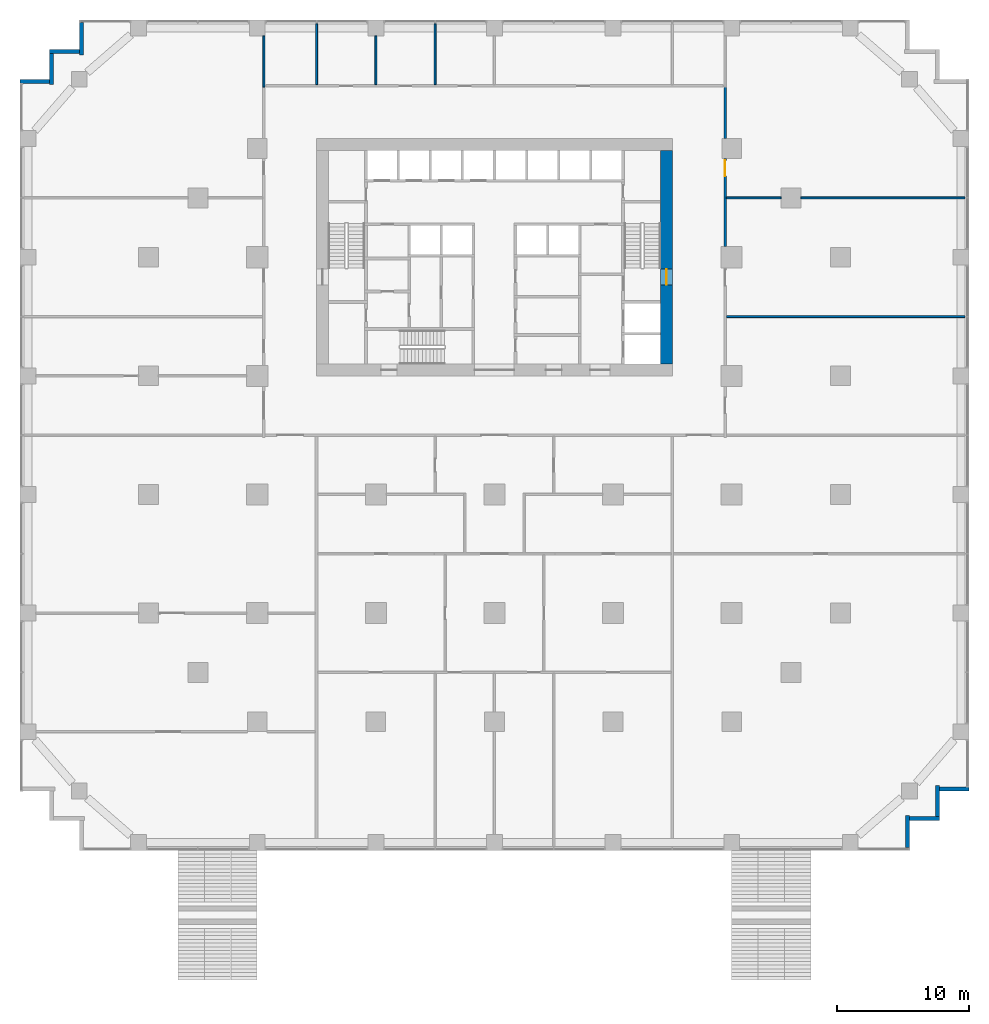
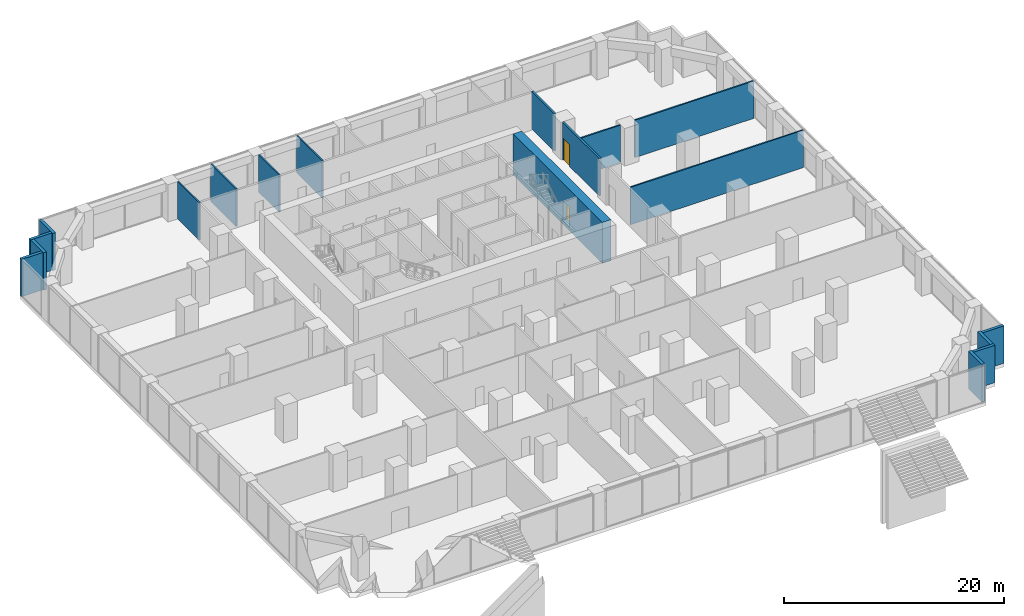
# One storey, part 15 of 18: 18 walls, 2 doors, 2 openings.
"""IFC4 building model written with IfcOpenShell, lengths in metres."""

from ifc_helpers import new_model, si_unit, direction, frame, frame_2d, origin, place, context, subcontext, project, spatial, rectangle, extrude, material, layer, layer_set, type_object, element, fill, save


model = new_model("IFC4")

# Units and contexts
model_context = context("Model", 3, precision=1e-05, world=origin(), true_north=direction((0.0, 1.0)))
body_context = subcontext(model_context, "Body", "Model", "MODEL_VIEW")
ifc_project = project(units=[si_unit("LENGTHUNIT", "METRE"), si_unit("AREAUNIT", "SQUARE_METRE"), si_unit("VOLUMEUNIT", "CUBIC_METRE"), si_unit("PLANEANGLEUNIT", "RADIAN"), si_unit("MASSUNIT", "GRAM", prefix="KILO")], contexts=[model_context])

# Site, building, storey
site_placement = place(None, origin())
site = spatial("IfcSite", under=ifc_project, at=site_placement, CompositionType="ELEMENT")
building_placement = place(site_placement, origin())
building = spatial("IfcBuilding", under=site, at=building_placement, Name="Orbiselva Terraces", CompositionType="ELEMENT")
storey_placement = place(building_placement, frame((0.0, 0.0, 6.0)))
storey = spatial("IfcBuildingStorey", under=building, at=storey_placement, Name="L01", CompositionType="ELEMENT", Elevation=6.0)

# Wall, opening, door
ifc_material_1 = material(Name="Concrete C80/95", Category="concrete")
ifc_layer_1 = layer(ifc_material_1, 0.9)
ifc_layer_set_1 = layer_set([ifc_layer_1], Name="Concrete C80/95")
wall_type_1 = type_object("IfcWallType", Name="CORE WALL 900", PredefinedType="SHEAR", material=ifc_layer_set_1)
wall_1_placement = place(storey_placement, frame((13.05, 5.4, -0.4), z_axis=(0.0, 0.0, 1.0), x_axis=(0.0, 1.0, 0.0)))
wall_1 = element("IfcWall", 1, at=wall_1_placement, inside=storey, type_object=wall_type_1, Name="Core wall L01 east", PredefinedType="SHEAR", context=body_context, shape_type="SweptSolid", body=[
    extrude(rectangle(XDim=16.2, YDim=0.9, at=frame_2d((8.1, 0.0))), origin(), (0.0, 0.0, 1.0), 4.55),
])
opening_1_placement = place(wall_1_placement, frame((6.0, 0.0, 0.4)))
opening_1 = element("IfcOpeningElement", 2, at=opening_1_placement, cuts=wall_1, Name="Opening DS1200", PredefinedType="OPENING", context=body_context, shape_type="SweptSolid", body=[
    extrude(rectangle(XDim=1.2, YDim=2.2, at=frame_2d((0.6, 1.1))), frame((0.0, 0.46, 0.0), z_axis=(0.0, -1.0, 0.0), x_axis=(1.0, 0.0, 0.0)), (0.0, 0.0, 1.0), 0.92),
])
ifc_material_2 = material(Name="Steel fire door", Category="steel")
door_type_1 = type_object("IfcDoorType", Name="STAIR DOOR 1200", OperationType="NOTDEFINED", PredefinedType="DOOR", material=ifc_material_2)
door_1_placement = place(opening_1_placement, frame((1.2, 0.0, 0.0), z_axis=(0.0, 0.0, 1.0), x_axis=(-1.0, 0.0, 0.0)))
door_1 = element("IfcDoor", 3, at=door_1_placement, inside=storey, type_object=door_type_1, Name="L01 EXIT STAIR S2 door", OperationType="SINGLE_SWING_LEFT", OverallHeight=2.2, OverallWidth=1.2, PredefinedType="DOOR", context=body_context, shape_type="SweptSolid", body=[
    extrude(rectangle(XDim=1.2, YDim=2.2, at=frame_2d((0.6, 1.1))), frame((0.0, 0.025, 0.0), z_axis=(0.0, -1.0, 0.0), x_axis=(1.0, 0.0, 0.0)), (0.0, 0.0, 1.0), 0.05),
])
fill(opening_1, door_1)

# Walls
ifc_material_3 = material(Name="Terracotta cladding on masonry backing", Category="masonry")
ifc_layer_2 = layer(ifc_material_3, 0.3)
ifc_layer_set_2 = layer_set([ifc_layer_2], Name="Terracotta cladding on masonry backing")
wall_type_2 = type_object("IfcWallType", Name="ENV-WALL-TERRACOTTA-300", PredefinedType="SOLIDWALL", material=ifc_layer_set_2)
wall_2_placement = place(storey_placement, frame((31.35, -28.85, 0.0), z_axis=(0.0, 0.0, 1.0), x_axis=(0.0, -1.0, 0.0)))
element("IfcWall", 4, at=wall_2_placement, inside=storey, type_object=wall_type_2, Name="Facade wall L01 STEP", PredefinedType="SOLIDWALL", context=body_context, shape_type="SweptSolid", body=[
    extrude(rectangle(XDim=2.45, YDim=0.3, at=frame_2d((1.225, 0.0))), origin(), (0.0, 0.0, 1.0), 4.15),
])
wall_3_placement = place(storey_placement, frame((33.75, -29.1, 0.0), z_axis=(0.0, 0.0, 1.0), x_axis=(-1.0, 0.0, 0.0)))
element("IfcWall", 5, at=wall_3_placement, inside=storey, type_object=wall_type_2, Name="Facade wall L01 STEP", PredefinedType="SOLIDWALL", context=body_context, shape_type="SweptSolid", body=[
    extrude(rectangle(XDim=2.25, YDim=0.3, at=frame_2d((1.125, 0.0))), origin(), (0.0, 0.0, 1.0), 4.15),
])
wall_4_placement = place(storey_placement, frame((33.6, -26.6, 0.0), z_axis=(0.0, 0.0, 1.0), x_axis=(0.0, -1.0, 0.0)))
element("IfcWall", 6, at=wall_4_placement, inside=storey, type_object=wall_type_2, Name="Facade wall L01 STEP", PredefinedType="SOLIDWALL", context=body_context, shape_type="SweptSolid", body=[
    extrude(rectangle(XDim=2.35, YDim=0.3, at=frame_2d((1.175, 0.0))), origin(), (0.0, 0.0, 1.0), 4.15),
])
wall_5_placement = place(storey_placement, frame((36.0, -26.85, 0.0), z_axis=(0.0, 0.0, 1.0), x_axis=(-1.0, 0.0, 0.0)))
element("IfcWall", 7, at=wall_5_placement, inside=storey, type_object=wall_type_2, Name="Facade wall L01 STEP", PredefinedType="SOLIDWALL", context=body_context, shape_type="SweptSolid", body=[
    extrude(rectangle(XDim=2.25, YDim=0.3, at=frame_2d((1.125, 0.0))), origin(), (0.0, 0.0, 1.0), 4.15),
])
wall_6_placement = place(storey_placement, frame((-31.35, 28.85, 0.0), z_axis=(0.0, 0.0, 1.0), x_axis=(0.0, 1.0, 0.0)))
element("IfcWall", 8, at=wall_6_placement, inside=storey, type_object=wall_type_2, Name="Facade wall L01 STEP", PredefinedType="SOLIDWALL", context=body_context, shape_type="SweptSolid", body=[
    extrude(rectangle(XDim=2.45, YDim=0.3, at=frame_2d((1.225, 0.0))), origin(), (0.0, 0.0, 1.0), 4.15),
])
wall_7_placement = place(storey_placement, frame((-33.75, 29.1, 0.0), z_axis=(0.0, 0.0, 1.0), x_axis=(1.0, 0.0, 0.0)))
element("IfcWall", 9, at=wall_7_placement, inside=storey, type_object=wall_type_2, Name="Facade wall L01 STEP", PredefinedType="SOLIDWALL", context=body_context, shape_type="SweptSolid", body=[
    extrude(rectangle(XDim=2.25, YDim=0.3, at=frame_2d((1.125, 0.0))), origin(), (0.0, 0.0, 1.0), 4.15),
])
wall_8_placement = place(storey_placement, frame((-33.6, 26.6, 0.0), z_axis=(0.0, 0.0, 1.0), x_axis=(0.0, 1.0, 0.0)))
element("IfcWall", 10, at=wall_8_placement, inside=storey, type_object=wall_type_2, Name="Facade wall L01 STEP", PredefinedType="SOLIDWALL", context=body_context, shape_type="SweptSolid", body=[
    extrude(rectangle(XDim=2.35, YDim=0.3, at=frame_2d((1.175, 0.0))), origin(), (0.0, 0.0, 1.0), 4.15),
])
wall_9_placement = place(storey_placement, frame((-36.0, 26.85, 0.0), z_axis=(0.0, 0.0, 1.0), x_axis=(1.0, 0.0, 0.0)))
element("IfcWall", 11, at=wall_9_placement, inside=storey, type_object=wall_type_2, Name="Facade wall L01 STEP", PredefinedType="SOLIDWALL", context=body_context, shape_type="SweptSolid", body=[
    extrude(rectangle(XDim=2.25, YDim=0.3, at=frame_2d((1.125, 0.0))), origin(), (0.0, 0.0, 1.0), 4.15),
])

# Wall, opening, door
ifc_material_4 = material(Name="Plasterboard on steel stud partition", Category="steel")
ifc_layer_3 = layer(ifc_material_4, 0.2)
ifc_layer_set_3 = layer_set([ifc_layer_3], Name="Plasterboard on steel stud partition")
wall_type_3 = type_object("IfcWallType", Name="UNIT-ENTRANCE-WALL-200", PredefinedType="PARTITIONING", material=ifc_layer_set_3)
wall_10_placement = place(storey_placement, frame((17.5, 14.3, 0.0), z_axis=(0.0, 0.0, 1.0), x_axis=(0.0, 1.0, 0.0)))
wall_10 = element("IfcWall", 12, at=wall_10_placement, inside=storey, type_object=wall_type_3, Name="PARTITION L01-051", PredefinedType="PARTITIONING", context=body_context, shape_type="SweptSolid", body=[
    extrude(rectangle(XDim=6.7, YDim=0.2, at=frame_2d((3.35, 0.0))), origin(), (0.0, 0.0, 1.0), 4.15),
])
opening_2_placement = place(wall_10_placement, frame((5.35, 0.0, 0.0)))
opening_2 = element("IfcOpeningElement", 13, at=opening_2_placement, cuts=wall_10, Name="Opening PODIUM-AMENITY-10", PredefinedType="OPENING", context=body_context, shape_type="SweptSolid", body=[
    extrude(rectangle(XDim=1.2, YDim=2.4, at=frame_2d((0.6, 1.2))), frame((0.0, 0.11, 0.0), z_axis=(0.0, -1.0, 0.0), x_axis=(1.0, 0.0, 0.0)), (0.0, 0.0, 1.0), 0.22),
])
ifc_material_5 = material(Name="Painted timber door leaf", Category="wood")
door_type_2 = type_object("IfcDoorType", Name="PLANT DOOR 1200", OperationType="NOTDEFINED", PredefinedType="DOOR", material=ifc_material_5)
door_2_placement = place(opening_2_placement, origin())
door_2 = element("IfcDoor", 14, at=door_2_placement, inside=storey, type_object=door_type_2, Name="PODIUM-AMENITY-10", OperationType="SINGLE_SWING_RIGHT", OverallHeight=2.4, OverallWidth=1.2, PredefinedType="DOOR", context=body_context, shape_type="SweptSolid", body=[
    extrude(rectangle(XDim=1.2, YDim=2.4, at=frame_2d((0.6, 1.2))), frame((0.0, 0.025, 0.0), z_axis=(0.0, -1.0, 0.0), x_axis=(1.0, 0.0, 0.0)), (0.0, 0.0, 1.0), 0.05),
])
fill(opening_2, door_2)

# Walls
wall_11_placement = place(storey_placement, frame((17.5, 22.5, 0.0), z_axis=(0.0, 0.0, 1.0), x_axis=(0.0, 1.0, 0.0)))
element("IfcWall", 15, at=wall_11_placement, inside=storey, type_object=wall_type_3, Name="PARTITION L01-052", PredefinedType="PARTITIONING", context=body_context, shape_type="SweptSolid", body=[
    extrude(rectangle(XDim=4.1, YDim=0.2, at=frame_2d((2.05, 0.0))), origin(), (0.0, 0.0, 1.0), 4.15),
])
ifc_layer_4 = layer(ifc_material_4, 0.15)
ifc_layer_set_4 = layer_set([ifc_layer_4], Name="Plasterboard on steel stud partition")
wall_type_4 = type_object("IfcWallType", Name="UNIT-PARTITION-150", PredefinedType="PARTITIONING", material=ifc_layer_set_4)
wall_12_placement = place(storey_placement, frame((17.6, 9.0, 0.0), z_axis=(0.0, 0.0, 1.0), x_axis=(1.0, 0.0, 0.0)))
element("IfcWall", 16, at=wall_12_placement, inside=storey, type_object=wall_type_4, Name="PARTITION L01-021", PredefinedType="PARTITIONING", context=body_context, shape_type="SweptSolid", body=[
    extrude(rectangle(XDim=18.1, YDim=0.15, at=frame_2d((9.05, 0.0))), origin(), (0.0, 0.0, 1.0), 4.15),
])
wall_13_placement = place(storey_placement, frame((17.6, 18.0, 0.0), z_axis=(0.0, 0.0, 1.0), x_axis=(1.0, 0.0, 0.0)))
element("IfcWall", 17, at=wall_13_placement, inside=storey, type_object=wall_type_4, Name="PARTITION L01-024", PredefinedType="PARTITIONING", context=body_context, shape_type="SweptSolid", body=[
    extrude(rectangle(XDim=4.15, YDim=0.15, at=frame_2d((2.075, 0.0))), origin(), (0.0, 0.0, 1.0), 4.15),
])
wall_14_placement = place(storey_placement, frame((23.25, 18.0, 0.0), z_axis=(0.0, 0.0, 1.0), x_axis=(1.0, 0.0, 0.0)))
element("IfcWall", 18, at=wall_14_placement, inside=storey, type_object=wall_type_4, Name="PARTITION L01-025", PredefinedType="PARTITIONING", context=body_context, shape_type="SweptSolid", body=[
    extrude(rectangle(XDim=12.45, YDim=0.15, at=frame_2d((6.225, 0.0))), origin(), (0.0, 0.0, 1.0), 4.15),
])
wall_15_placement = place(storey_placement, frame((-17.5, 26.4, 0.0), z_axis=(0.0, 0.0, 1.0), x_axis=(0.0, 1.0, 0.0)))
element("IfcWall", 19, at=wall_15_placement, inside=storey, type_object=wall_type_4, Name="PARTITION L01-031", PredefinedType="PARTITIONING", context=body_context, shape_type="SweptSolid", body=[
    extrude(rectangle(XDim=3.9, YDim=0.15, at=frame_2d((1.95, 0.0))), origin(), (0.0, 0.0, 1.0), 4.15),
])
wall_16_placement = place(storey_placement, frame((-13.5, 26.6, 0.0), z_axis=(0.0, 0.0, 1.0), x_axis=(0.0, 1.0, 0.0)))
element("IfcWall", 20, at=wall_16_placement, inside=storey, type_object=wall_type_4, Name="PARTITION L01-032", PredefinedType="PARTITIONING", context=body_context, shape_type="SweptSolid", body=[
    extrude(rectangle(XDim=4.6, YDim=0.15, at=frame_2d((2.3, 0.0))), origin(), (0.0, 0.0, 1.0), 4.15),
])
wall_17_placement = place(storey_placement, frame((-9.0, 26.6, 0.0), z_axis=(0.0, 0.0, 1.0), x_axis=(0.0, 1.0, 0.0)))
element("IfcWall", 21, at=wall_17_placement, inside=storey, type_object=wall_type_4, Name="PARTITION L01-034", PredefinedType="PARTITIONING", context=body_context, shape_type="SweptSolid", body=[
    extrude(rectangle(XDim=3.7, YDim=0.15, at=frame_2d((1.85, 0.0))), origin(), (0.0, 0.0, 1.0), 4.15),
])
wall_18_placement = place(storey_placement, frame((-4.5, 26.6, 0.0), z_axis=(0.0, 0.0, 1.0), x_axis=(0.0, 1.0, 0.0)))
element("IfcWall", 22, at=wall_18_placement, inside=storey, type_object=wall_type_4, Name="PARTITION L01-037", PredefinedType="PARTITIONING", context=body_context, shape_type="SweptSolid", body=[
    extrude(rectangle(XDim=4.6, YDim=0.15, at=frame_2d((2.3, 0.0))), origin(), (0.0, 0.0, 1.0), 4.15),
])

save(model, "model.ifc")
